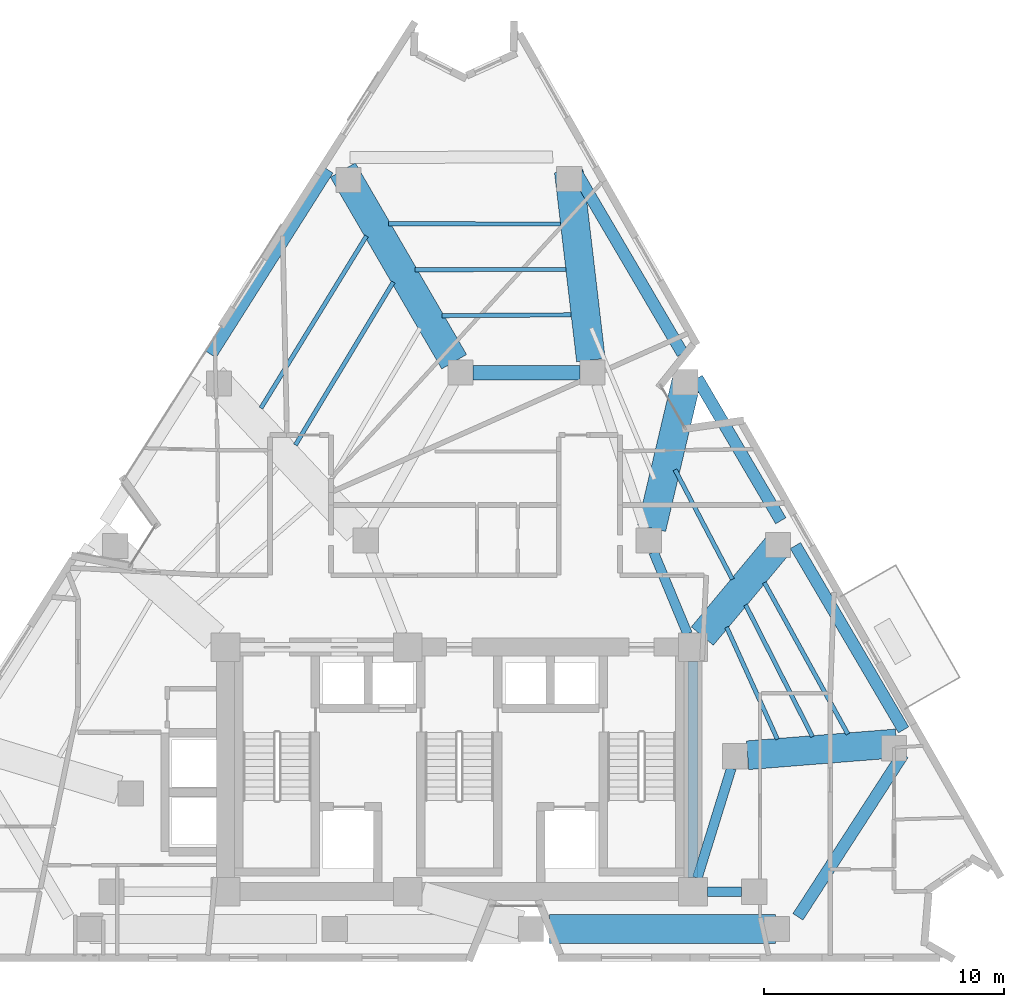
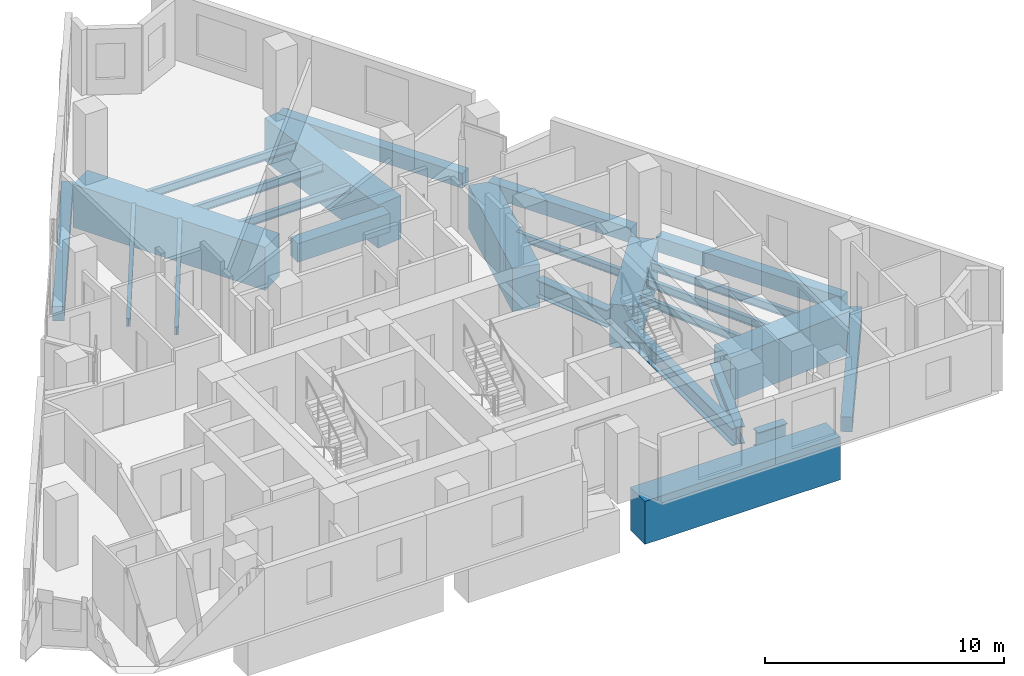
# One storey, part 3 of 12: 25 beams.
"""IFC4 building model written with IfcOpenShell, lengths in metres."""

from ifc_helpers import new_model, si_unit, direction, frame, origin, origin_2d, place, context, subcontext, project, spatial, rectangle, i_section, extrude, material, material_profile, profile_set, type_object, element, save


model = new_model("IFC4")

# Units and contexts
model_context = context("Model", 3, precision=1e-05, world=origin(), true_north=direction((0.0, 1.0)))
body_context = subcontext(model_context, "Body", "Model", "MODEL_VIEW")
ifc_project = project(units=[si_unit("LENGTHUNIT", "METRE"), si_unit("AREAUNIT", "SQUARE_METRE"), si_unit("VOLUMEUNIT", "CUBIC_METRE"), si_unit("PLANEANGLEUNIT", "RADIAN"), si_unit("MASSUNIT", "GRAM", prefix="KILO")], contexts=[model_context])

# Site, building, storey
site_placement = place(None, origin())
site = spatial("IfcSite", under=ifc_project, at=site_placement, CompositionType="ELEMENT")
building_placement = place(site_placement, origin())
building = spatial("IfcBuilding", under=site, at=building_placement, Name="Almagre Mirador Tower", CompositionType="ELEMENT")
storey_placement = place(building_placement, frame((0.0, 0.0, 132.0)))
storey = spatial("IfcBuildingStorey", under=building, at=storey_placement, Name="L33", CompositionType="ELEMENT", Elevation=132.0)

# Beams
ifc_material_1 = material(Name="Steel ASTM A992 Grade 50", Category="steel")
ifc_material_profile_1 = material_profile(ifc_material_1, i_section(OverallWidth=0.178955078125, OverallDepth=0.408935546875, WebThickness=0.0087890625, FlangeThickness=0.014404296875, FilletRadius=0.013916015625, at=origin_2d()), Name="W16X45")
ifc_profile_set_1 = profile_set([ifc_material_profile_1], Name="Steel ASTM A992 Grade 50")
beam_type_1 = type_object("IfcBeamType", Name="BM-JST-W16X45", PredefinedType="JOIST", material=ifc_profile_set_1)
beam_1_placement = place(storey_placement, frame((53.506103515625, 11.123291015625, -0.45458984375), z_axis=(-0.482526373894, 0.875881440891, 0.0), x_axis=(-0.875881440891, -0.482526373894, 0.0)))
element("IfcBeam", 1, at=beam_1_placement, inside=storey, type_object=beam_type_1, Name="L33 secondary floor joist PC05-PC06.1", PredefinedType="JOIST", context=body_context, shape_type="SweptSolid", body=[
    extrude(i_section(OverallWidth=0.178955078125, OverallDepth=0.408935546875, WebThickness=0.0087890625, FlangeThickness=0.014404296875, FilletRadius=0.013916015625, at=origin_2d()), origin(), (0.0, 0.0, 1.0), 7.217041015625),
])
beam_2_placement = place(storey_placement, frame((52.033203125, 11.01416015625, -0.45458984375), z_axis=(-0.452823518146, 0.89160016903, 0.0), x_axis=(-0.89160016903, -0.452823518146, 0.0)))
element("IfcBeam", 2, at=beam_2_placement, inside=storey, type_object=beam_type_1, Name="L33 secondary floor joist PC05-PC06.2", PredefinedType="JOIST", context=body_context, shape_type="SweptSolid", body=[
    extrude(i_section(OverallWidth=0.178955078125, OverallDepth=0.408935546875, WebThickness=0.0087890625, FlangeThickness=0.014404296875, FilletRadius=0.013916015625, at=origin_2d()), origin(), (0.0, 0.0, 1.0), 6.170166015625),
])
beam_3_placement = place(storey_placement, frame((50.566650390625, 10.906982421875, -0.45458984375), z_axis=(-0.412552224034, 0.910933950649, 0.0), x_axis=(-0.910933950649, -0.412552224034, 0.0)))
element("IfcBeam", 3, at=beam_3_placement, inside=storey, type_object=beam_type_1, Name="L33 secondary floor joist PC05-PC06.3", PredefinedType="JOIST", context=body_context, shape_type="SweptSolid", body=[
    extrude(i_section(OverallWidth=0.178955078125, OverallDepth=0.408935546875, WebThickness=0.0087890625, FlangeThickness=0.014404296875, FilletRadius=0.013916015625, at=origin_2d()), origin(), (0.0, 0.0, 1.0), 5.13427734375),
])
beam_4_placement = place(storey_placement, frame((48.689208984375, 17.581787109375, -0.45458984375), z_axis=(-0.463734395007, 0.885974272136, 0.0), x_axis=(-0.885974272136, -0.463734395007, 0.0)))
element("IfcBeam", 4, at=beam_4_placement, inside=storey, type_object=beam_type_1, Name="L33 secondary floor joist PC06-PC07.2", PredefinedType="JOIST", context=body_context, shape_type="SweptSolid", body=[
    extrude(i_section(OverallWidth=0.178955078125, OverallDepth=0.408935546875, WebThickness=0.0087890625, FlangeThickness=0.014404296875, FilletRadius=0.013916015625, at=origin_2d()), origin(), (0.0, 0.0, 1.0), 5.154052734375),
])
beam_5_placement = place(storey_placement, frame((41.52490234375, 32.397705078125, -0.45458984375), z_axis=(-0.999998931515, 0.001461837636, 0.0), x_axis=(-0.001461837636, -0.999998931515, 0.0)))
element("IfcBeam", 5, at=beam_5_placement, inside=storey, type_object=beam_type_1, Name="L33 secondary floor joist PC08-PC09.1", PredefinedType="JOIST", context=body_context, shape_type="SweptSolid", body=[
    extrude(i_section(OverallWidth=0.178955078125, OverallDepth=0.408935546875, WebThickness=0.0087890625, FlangeThickness=0.014404296875, FilletRadius=0.013916015625, at=origin_2d()), origin(), (0.0, 0.0, 1.0), 7.181396484375),
])
beam_6_placement = place(storey_placement, frame((41.746337890625, 30.50390625, -0.45458984375), z_axis=(-0.999998190591, -0.001902318167, 0.0), x_axis=(0.001902318167, -0.999998190591, 0.0)))
element("IfcBeam", 6, at=beam_6_placement, inside=storey, type_object=beam_type_1, Name="L33 secondary floor joist PC08-PC09.2", PredefinedType="JOIST", context=body_context, shape_type="SweptSolid", body=[
    extrude(i_section(OverallWidth=0.178955078125, OverallDepth=0.408935546875, WebThickness=0.0087890625, FlangeThickness=0.014404296875, FilletRadius=0.013916015625, at=origin_2d()), origin(), (0.0, 0.0, 1.0), 6.28857421875),
])
beam_7_placement = place(storey_placement, frame((41.9677734375, 28.609619140625, -0.45458984375), z_axis=(-0.999980787903, -0.006198695441, 0.0), x_axis=(0.006198695441, -0.999980787903, 0.0)))
element("IfcBeam", 7, at=beam_7_placement, inside=storey, type_object=beam_type_1, Name="L33 secondary floor joist PC08-PC09.3", PredefinedType="JOIST", context=body_context, shape_type="SweptSolid", body=[
    extrude(i_section(OverallWidth=0.178955078125, OverallDepth=0.408935546875, WebThickness=0.0087890625, FlangeThickness=0.014404296875, FilletRadius=0.013916015625, at=origin_2d()), origin(), (0.0, 0.0, 1.0), 5.395751953125),
])
beam_8_placement = place(storey_placement, frame((33.4296875, 31.897705078125, -0.45458984375), z_axis=(-0.522770114956, -0.852473698661, 0.0), x_axis=(0.852473698661, -0.522770114956, 0.0)))
element("IfcBeam", 8, at=beam_8_placement, inside=storey, type_object=beam_type_1, Name="L33 secondary floor joist PC09-PC10.1", PredefinedType="JOIST", context=body_context, shape_type="SweptSolid", body=[
    extrude(i_section(OverallWidth=0.178955078125, OverallDepth=0.408935546875, WebThickness=0.0087890625, FlangeThickness=0.014404296875, FilletRadius=0.013916015625, at=origin_2d()), origin(), (0.0, 0.0, 1.0), 8.41943359375),
])
beam_9_placement = place(storey_placement, frame((34.548583984375, 29.976318359375, -0.45458984375), z_axis=(-0.515034618449, -0.857169377544, 0.0), x_axis=(0.857169377544, -0.515034618449, 0.0)))
element("IfcBeam", 9, at=beam_9_placement, inside=storey, type_object=beam_type_1, Name="L33 secondary floor joist PC09-PC10.2", PredefinedType="JOIST", context=body_context, shape_type="SweptSolid", body=[
    extrude(i_section(OverallWidth=0.178955078125, OverallDepth=0.408935546875, WebThickness=0.0087890625, FlangeThickness=0.014404296875, FilletRadius=0.013916015625, at=origin_2d()), origin(), (0.0, 0.0, 1.0), 7.92724609375),
])
ifc_material_2 = material(Name="Concrete C60/75", Category="concrete")
ifc_material_profile_2 = material_profile(ifc_material_2, rectangle(XDim=0.60009765625, YDim=0.949951171875, at=origin_2d()), Name="RC600X950")
ifc_profile_set_2 = profile_set([ifc_material_profile_2], Name="Concrete C60/75")
beam_type_2 = type_object("IfcBeamType", Name="BM-LIN-RC600X950", PredefinedType="LINTEL", material=ifc_profile_set_2)
beam_10_placement = place(storey_placement, frame((37.875, 26.199951171875, -0.72509765625), z_axis=(1.0, 0.0, 0.0), x_axis=(0.0, 1.0, 0.0)))
element("IfcBeam", 10, at=beam_10_placement, inside=storey, type_object=beam_type_2, Name="L33 coupled header lintel LN-01", PredefinedType="LINTEL", context=body_context, shape_type="SweptSolid", body=[
    extrude(rectangle(XDim=0.60009765625, YDim=0.949951171875, at=origin_2d()), origin(), (0.0, 0.0, 1.0), 4.449951171875),
])
ifc_material_3 = material(Name="Precast concrete C50/60", Category="concrete")
ifc_material_profile_3 = material_profile(ifc_material_3, rectangle(XDim=0.5, YDim=0.75, at=origin_2d()), Name="RC500X750")
ifc_profile_set_3 = profile_set([ifc_material_profile_3], Name="Precast concrete C50/60")
beam_type_3 = type_object("IfcBeamType", Name="BM-SPN-RC500X750", PredefinedType="SPANDREL", material=ifc_profile_set_3)
beam_11_placement = place(storey_placement, frame((51.422119140625, 3.503662109375, -0.625), z_axis=(0.543242499017, 0.839575837707, 0.0), x_axis=(-0.839575837707, 0.543242499017, 0.0)))
element("IfcBeam", 11, at=beam_11_placement, inside=storey, type_object=beam_type_3, Name="L33 perimeter spandrel beam PC04-PC05", PredefinedType="SPANDREL", context=body_context, shape_type="SweptSolid", body=[
    extrude(rectangle(XDim=0.5, YDim=0.75, at=origin_2d()), origin(), (0.0, 0.0, 1.0), 8.071533203125),
])
beam_12_placement = place(storey_placement, frame((55.8291015625, 11.301513671875, -0.625), z_axis=(-0.506318387543, 0.862346618498, 0.0), x_axis=(-0.862346618498, -0.506318387543, 0.0)))
element("IfcBeam", 12, at=beam_12_placement, inside=storey, type_object=beam_type_3, Name="L33 perimeter spandrel beam PC05-PC06", PredefinedType="SPANDREL", context=body_context, shape_type="SweptSolid", body=[
    extrude(rectangle(XDim=0.5, YDim=0.75, at=origin_2d()), origin(), (0.0, 0.0, 1.0), 8.911865234375),
])
beam_13_placement = place(storey_placement, frame((50.709228515625, 20.021484375, -0.625), z_axis=(-0.506343227047, 0.862332033745, 0.0), x_axis=(-0.862332033745, -0.506343227047, 0.0)))
element("IfcBeam", 13, at=beam_13_placement, inside=storey, type_object=beam_type_3, Name="L33 perimeter spandrel beam PC06-PC07", PredefinedType="SPANDREL", context=body_context, shape_type="SweptSolid", body=[
    extrude(rectangle(XDim=0.5, YDim=0.75, at=origin_2d()), origin(), (0.0, 0.0, 1.0), 6.8896484375),
])
beam_14_placement = place(storey_placement, frame((46.61328125, 26.997314453125, -0.625), z_axis=(-0.506326798076, 0.862341680281, 0.0), x_axis=(-0.862341680281, -0.506326798076, 0.0)))
element("IfcBeam", 14, at=beam_14_placement, inside=storey, type_object=beam_type_3, Name="L33 perimeter spandrel beam PC07-PC08", PredefinedType="SPANDREL", context=body_context, shape_type="SweptSolid", body=[
    extrude(rectangle(XDim=0.5, YDim=0.75, at=origin_2d()), origin(), (0.0, 0.0, 1.0), 8.912109375),
])
beam_15_placement = place(storey_placement, frame((31.821044921875, 34.658935546875, -0.625), z_axis=(-0.534869929659, -0.844934410677, 0.0), x_axis=(0.844934410677, -0.534869929659, 0.0)))
element("IfcBeam", 15, at=beam_15_placement, inside=storey, type_object=beam_type_3, Name="L33 perimeter spandrel beam PC09-PC10", PredefinedType="SPANDREL", context=body_context, shape_type="SweptSolid", body=[
    extrude(rectangle(XDim=0.5, YDim=0.75, at=origin_2d()), origin(), (0.0, 0.0, 1.0), 9.120361328125),
])
ifc_material_4 = material(Name="Steel ASTM A992 Grade 50", Category="steel")
ifc_material_profile_4 = material_profile(ifc_material_4, i_section(OverallWidth=0.404052734375, OverallDepth=0.884033203125, WebThickness=0.0244140625, FlangeThickness=0.0439453125, FilletRadius=0.02490234375, at=origin_2d()), Name="W33X291")
ifc_profile_set_4 = profile_set([ifc_material_profile_4], Name="Steel ASTM A992 Grade 50")
beam_type_4 = type_object("IfcBeamType", Name="BM-STL-W33X291", PredefinedType="BEAM", material=ifc_profile_set_4)
beam_16_placement = place(storey_placement, frame((47.050048828125, 5.14990234375, -0.69189453125), z_axis=(0.0, 1.0, 0.0), x_axis=(-1.0, 0.0, 0.0)))
element("IfcBeam", 16, at=beam_16_placement, inside=storey, type_object=beam_type_4, Name="L33 core tie girder CC3-CC6", PredefinedType="BEAM", context=body_context, shape_type="SweptSolid", body=[
    extrude(i_section(OverallWidth=0.404052734375, OverallDepth=0.884033203125, WebThickness=0.0244140625, FlangeThickness=0.0439453125, FilletRadius=0.02490234375, at=origin_2d()), origin(), (0.0, 0.0, 1.0), 9.0),
])
beam_17_placement = place(storey_placement, frame((49.074951171875, 4.550048828125, -0.69189453125), z_axis=(-1.0, 0.0, 0.0), x_axis=(0.0, -1.0, 0.0)))
element("IfcBeam", 17, at=beam_17_placement, inside=storey, type_object=beam_type_4, Name="L33 core tie girder MC2-CC3", PredefinedType="BEAM", context=body_context, shape_type="SweptSolid", body=[
    extrude(i_section(OverallWidth=0.404052734375, OverallDepth=0.884033203125, WebThickness=0.0244140625, FlangeThickness=0.0439453125, FilletRadius=0.02490234375, at=origin_2d()), origin(), (0.0, 0.0, 1.0), 1.425048828125),
])
beam_18_placement = place(storey_placement, frame((48.644775390625, 9.698486328125, -0.69189453125), z_axis=(-0.295879743348, -0.955225197258, 0.0), x_axis=(0.955225197258, -0.295879743348, 0.0)))
element("IfcBeam", 18, at=beam_18_placement, inside=storey, type_object=beam_type_4, Name="L33 core tie girder MC3-CC3", PredefinedType="BEAM", context=body_context, shape_type="SweptSolid", body=[
    extrude(i_section(OverallWidth=0.404052734375, OverallDepth=0.884033203125, WebThickness=0.0244140625, FlangeThickness=0.0439453125, FilletRadius=0.02490234375, at=origin_2d()), origin(), (0.0, 0.0, 1.0), 4.789794921875),
])
beam_19_placement = place(storey_placement, frame((45.401611328125, 18.715087890625, -0.69189453125), z_axis=(0.383845645019, -0.923397271384, 0.0), x_axis=(0.923397271384, 0.383845645019, 0.0)))
element("IfcBeam", 19, at=beam_19_placement, inside=storey, type_object=beam_type_4, Name="L33 core tie girder MC5-CC6", PredefinedType="BEAM", context=body_context, shape_type="SweptSolid", body=[
    extrude(i_section(OverallWidth=0.404052734375, OverallDepth=0.884033203125, WebThickness=0.0244140625, FlangeThickness=0.0439453125, FilletRadius=0.02490234375, at=origin_2d()), origin(), (0.0, 0.0, 1.0), 3.694091796875),
])
ifc_material_5 = material(Name="Concrete C60/75", Category="concrete")
ifc_material_profile_5 = material_profile(ifc_material_5, rectangle(XDim=1.199951171875, YDim=2.199951171875, at=origin_2d()), Name="RC1200X2200")
ifc_profile_set_5 = profile_set([ifc_material_profile_5], Name="Concrete C60/75")
beam_type_5 = type_object("IfcBeamType", Name="BM-XFER-RC1200X2200", PredefinedType="BEAM", material=ifc_profile_set_5)
beam_20_placement = place(storey_placement, frame((41.055908203125, 3.0, -1.35009765625), z_axis=(1.0, 0.0, 0.0), x_axis=(0.0, 1.0, 0.0)))
element("IfcBeam", 20, at=beam_20_placement, inside=storey, type_object=beam_type_5, Name="L33 perimeter spandrel beam PC03-PC04", PredefinedType="BEAM", context=body_context, shape_type="SweptSolid", body=[
    extrude(rectangle(XDim=1.199951171875, YDim=2.199951171875, at=origin_2d()), origin(), (0.0, 0.0, 1.0), 9.440185546875),
])
beam_21_placement = place(storey_placement, frame((55.534912109375, 10.736328125, -1.35009765625), z_axis=(-0.996844611006, -0.079377714181, 0.0), x_axis=(0.079377714181, -0.996844611006, 0.0)))
element("IfcBeam", 21, at=beam_21_placement, inside=storey, type_object=beam_type_5, Name="L33 radial transfer girder PC05-MC3", PredefinedType="BEAM", context=body_context, shape_type="SweptSolid", body=[
    extrude(rectangle(XDim=1.199951171875, YDim=2.199951171875, at=origin_2d()), origin(), (0.0, 0.0, 1.0), 6.2314453125),
])
beam_22_placement = place(storey_placement, frame((50.62890625, 19.043212890625, -1.35009765625), z_axis=(-0.640333592282, -0.768096927865, 0.0), x_axis=(0.768096927865, -0.640333592282, 0.0)))
element("IfcBeam", 22, at=beam_22_placement, inside=storey, type_object=beam_type_5, Name="L33 radial transfer girder PC06-CC6", PredefinedType="BEAM", context=body_context, shape_type="SweptSolid", body=[
    extrude(rectangle(XDim=1.199951171875, YDim=2.199951171875, at=origin_2d()), origin(), (0.0, 0.0, 1.0), 4.9892578125),
])
beam_23_placement = place(storey_placement, frame((46.779296875, 25.89599609375, -1.35009765625), z_axis=(-0.229551088102, -0.973296613552, 0.0), x_axis=(0.973296613552, -0.229551088102, 0.0)))
element("IfcBeam", 23, at=beam_23_placement, inside=storey, type_object=beam_type_5, Name="L33 radial transfer girder PC07-MC5", PredefinedType="BEAM", context=body_context, shape_type="SweptSolid", body=[
    extrude(rectangle(XDim=1.199951171875, YDim=2.199951171875, at=origin_2d()), origin(), (0.0, 0.0, 1.0), 6.354736328125),
])
beam_24_placement = place(storey_placement, frame((41.86669921875, 34.60400390625, -1.35009765625), z_axis=(0.116220098543, -0.993223483761, 0.0), x_axis=(0.993223483761, 0.116220098543, 0.0)))
element("IfcBeam", 24, at=beam_24_placement, inside=storey, type_object=beam_type_5, Name="L33 radial transfer girder PC08-MC6", PredefinedType="BEAM", context=body_context, shape_type="SweptSolid", body=[
    extrude(rectangle(XDim=1.199951171875, YDim=2.199951171875, at=origin_2d()), origin(), (0.0, 0.0, 1.0), 7.936279296875),
])
beam_25_placement = place(storey_placement, frame((32.443359375, 34.647216796875, -1.35009765625), z_axis=(0.502267404593, -0.864712353493, 0.0), x_axis=(0.864712353493, 0.502267404593, 0.0)))
element("IfcBeam", 25, at=beam_25_placement, inside=storey, type_object=beam_type_5, Name="L33 radial transfer girder PC09-MC7", PredefinedType="BEAM", context=body_context, shape_type="SweptSolid", body=[
    extrude(rectangle(XDim=1.199951171875, YDim=2.199951171875, at=origin_2d()), origin(), (0.0, 0.0, 1.0), 9.24365234375),
])

save(model, "model.ifc")
